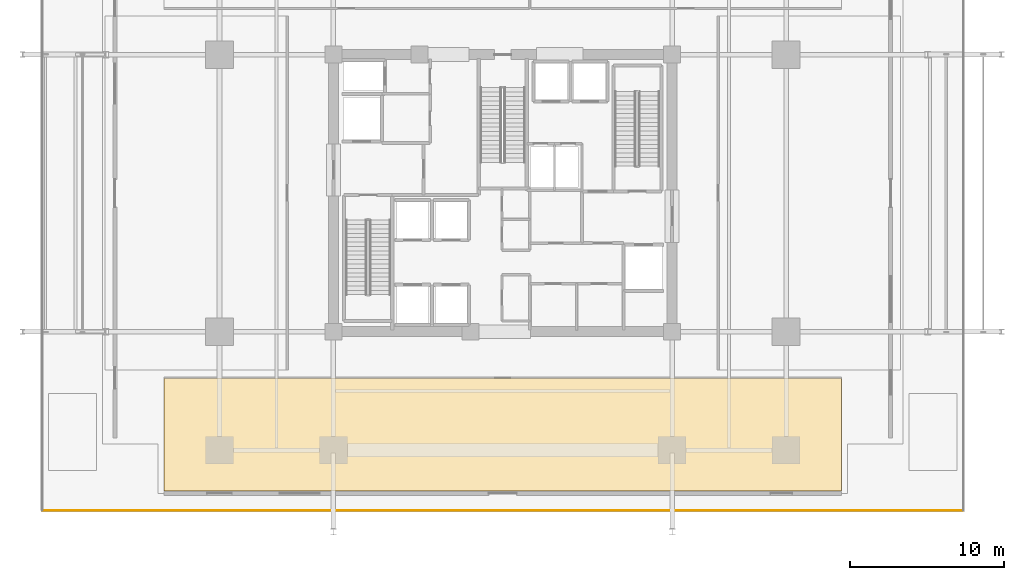
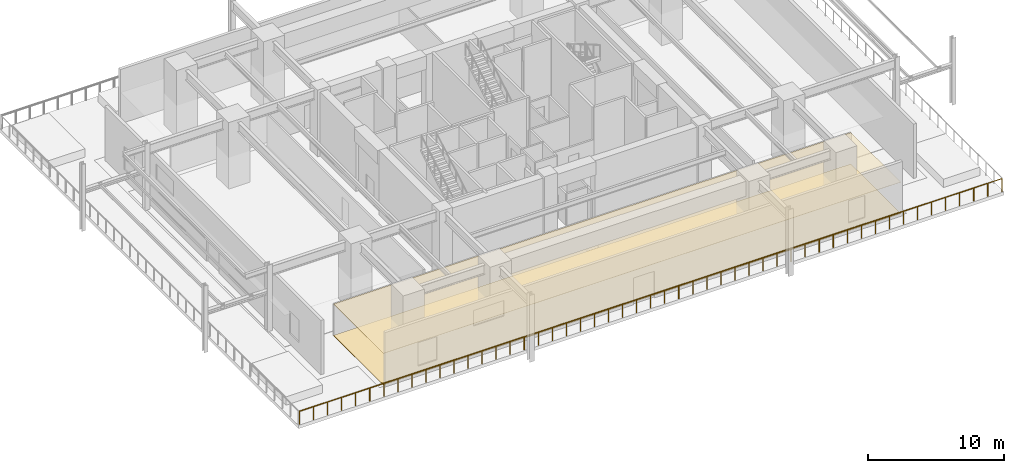
# One storey, part 10 of 14: 2 coverings, 1 railing.
"""IFC4 building model written with IfcOpenShell, lengths in metres."""

from ifc_helpers import new_model, si_unit, direction, frame, origin, origin_2d, place, context, subcontext, project, spatial, polyline, circle, outline, extrude, material, layer, layer_set, type_object, element, save


model = new_model("IFC4")

# Units and contexts
model_context = context("Model", 3, precision=1e-05, world=origin(), true_north=direction((0.0, 1.0)))
body_context = subcontext(model_context, "Body", "Model", "MODEL_VIEW")
ifc_project = project(units=[si_unit("LENGTHUNIT", "METRE"), si_unit("AREAUNIT", "SQUARE_METRE"), si_unit("VOLUMEUNIT", "CUBIC_METRE"), si_unit("PLANEANGLEUNIT", "RADIAN"), si_unit("MASSUNIT", "GRAM", prefix="KILO")], contexts=[model_context])

# Site, building, storey
site_placement = place(None, origin())
site = spatial("IfcSite", under=ifc_project, at=site_placement, CompositionType="ELEMENT")
building_placement = place(site_placement, origin())
building = spatial("IfcBuilding", under=site, at=building_placement, Name="Kovane Verandah Tower", CompositionType="ELEMENT")
storey_placement = place(building_placement, frame((0.0, 0.0, 21.60009765625)))
storey = spatial("IfcBuildingStorey", under=building, at=storey_placement, Name="L04", CompositionType="ELEMENT", Elevation=21.60009765625)

# Coverings
ifc_material_1 = material(Name="Perforated Acoustic Mineral-Fibre Ceiling Tile", Category="gypsum")
ifc_layer_1 = layer(ifc_material_1, 0.02490234375)
ifc_layer_set_1 = layer_set([ifc_layer_1], Name="Perforated Acoustic Mineral-Fibre Ceiling Tile")
covering_type_1 = type_object("IfcCoveringType", Name="CV-CEIL-25", PredefinedType="CEILING", material=ifc_layer_set_1)
covering_1_placement = place(storey_placement, frame((0.0, 0.0, 2.824951171875)))
element("IfcCovering", 1, at=covering_1_placement, inside=storey, type_object=covering_type_1, Name="L04 Raised Garden Pavilion Reception Hall Acoustic Ceiling", PredefinedType="CEILING", context=body_context, shape_type="SweptSolid", body=[
    extrude(outline(polyline([(18.0, 8.14990234375), (62.0, 8.14990234375), (62.0, 15.5), (18.0, 15.5), (18.0, 8.14990234375)])), origin(), (0.0, 0.0, 1.0), 0.02490234375),
])
ifc_material_2 = material(Name="Polished Terrazzo and Raised-Access Carpet Tile Finish", Category="concrete")
ifc_layer_2 = layer(ifc_material_2, 0.030029296875)
ifc_layer_set_2 = layer_set([ifc_layer_2], Name="Polished Terrazzo and Raised-Access Carpet Tile Finish")
covering_type_2 = type_object("IfcCoveringType", Name="CV-FLOR-30", PredefinedType="FLOORING", material=ifc_layer_set_2)
covering_2_placement = place(storey_placement, origin())
element("IfcCovering", 2, at=covering_2_placement, inside=storey, type_object=covering_type_2, Name="L04 Raised Garden Pavilion Reception Hall Floor Finish", PredefinedType="FLOORING", context=body_context, shape_type="SweptSolid", body=[
    extrude(outline(polyline([(18.0, 8.14990234375), (62.0, 8.14990234375), (62.0, 15.5), (18.0, 15.5), (18.0, 8.14990234375)])), origin(), (0.0, 0.0, 1.0), 0.02978515625),
])

# Railing
ifc_material_3 = material(Name="Pale-Champagne Stainless Steel and Glass Perimeter Guard", Category="steel")
railing_type = type_object("IfcRailingType", Name="RL-GDN-1200", PredefinedType="GUARDRAIL", material=ifc_material_3)
railing_placement = place(storey_placement, frame((10.139892578125, 6.8798828125, 0.0)))
element("IfcRailing", 3, at=railing_placement, inside=storey, type_object=railing_type, Name="L04 Raised Public Garden Perimeter Guard S", PredefinedType="GUARDRAIL", context=body_context, shape_type="SweptSolid", body=[
    extrude(circle(Radius=0.02392578125, at=origin_2d()), frame((0.0, 0.0, 1.17578125), z_axis=(1.0, 0.0, 0.0), x_axis=(0.0, 1.0, 0.0)), (0.0, 0.0, 1.0), 59.72021484375),
    extrude(circle(Radius=0.02099609375, at=origin_2d()), origin(), (0.0, 0.0, 1.0), 1.15185546875),
    extrude(circle(Radius=0.02099609375, at=origin_2d()), frame((1.1943359375, 0.0, 0.0)), (0.0, 0.0, 1.0), 1.15185546875),
    extrude(circle(Radius=0.02099609375, at=origin_2d()), frame((2.388916015625, 0.0, 0.0)), (0.0, 0.0, 1.0), 1.15185546875),
    extrude(circle(Radius=0.02099609375, at=origin_2d()), frame((3.583251953125, 0.0, 0.0)), (0.0, 0.0, 1.0), 1.15185546875),
    extrude(circle(Radius=0.02099609375, at=origin_2d()), frame((4.777587890625, 0.0, 0.0)), (0.0, 0.0, 1.0), 1.15185546875),
    extrude(circle(Radius=0.02099609375, at=origin_2d()), frame((5.971923828125, 0.0, 0.0)), (0.0, 0.0, 1.0), 1.15185546875),
    extrude(circle(Radius=0.02099609375, at=origin_2d()), frame((7.16650390625, 0.0, 0.0)), (0.0, 0.0, 1.0), 1.15185546875),
    extrude(circle(Radius=0.02099609375, at=origin_2d()), frame((8.36083984375, 0.0, 0.0)), (0.0, 0.0, 1.0), 1.15185546875),
    extrude(circle(Radius=0.02099609375, at=origin_2d()), frame((9.55517578125, 0.0, 0.0)), (0.0, 0.0, 1.0), 1.15185546875),
    extrude(circle(Radius=0.02099609375, at=origin_2d()), frame((10.749755859375, 0.0, 0.0)), (0.0, 0.0, 1.0), 1.15185546875),
    extrude(circle(Radius=0.02099609375, at=origin_2d()), frame((11.944091796875, 0.0, 0.0)), (0.0, 0.0, 1.0), 1.15185546875),
    extrude(circle(Radius=0.02099609375, at=origin_2d()), frame((13.138427734375, 0.0, 0.0)), (0.0, 0.0, 1.0), 1.15185546875),
    extrude(circle(Radius=0.02099609375, at=origin_2d()), frame((14.332763671875, 0.0, 0.0)), (0.0, 0.0, 1.0), 1.15185546875),
    extrude(circle(Radius=0.02099609375, at=origin_2d()), frame((15.52734375, 0.0, 0.0)), (0.0, 0.0, 1.0), 1.15185546875),
    extrude(circle(Radius=0.02099609375, at=origin_2d()), frame((16.7216796875, 0.0, 0.0)), (0.0, 0.0, 1.0), 1.15185546875),
    extrude(circle(Radius=0.02099609375, at=origin_2d()), frame((17.916015625, 0.0, 0.0)), (0.0, 0.0, 1.0), 1.15185546875),
    extrude(circle(Radius=0.02099609375, at=origin_2d()), frame((19.1103515625, 0.0, 0.0)), (0.0, 0.0, 1.0), 1.15185546875),
    extrude(circle(Radius=0.02099609375, at=origin_2d()), frame((20.304931640625, 0.0, 0.0)), (0.0, 0.0, 1.0), 1.15185546875),
    extrude(circle(Radius=0.02099609375, at=origin_2d()), frame((21.499267578125, 0.0, 0.0)), (0.0, 0.0, 1.0), 1.15185546875),
    extrude(circle(Radius=0.02099609375, at=origin_2d()), frame((22.693603515625, 0.0, 0.0)), (0.0, 0.0, 1.0), 1.15185546875),
    extrude(circle(Radius=0.02099609375, at=origin_2d()), frame((23.88818359375, 0.0, 0.0)), (0.0, 0.0, 1.0), 1.15185546875),
    extrude(circle(Radius=0.02099609375, at=origin_2d()), frame((25.08251953125, 0.0, 0.0)), (0.0, 0.0, 1.0), 1.15185546875),
    extrude(circle(Radius=0.02099609375, at=origin_2d()), frame((26.27685546875, 0.0, 0.0)), (0.0, 0.0, 1.0), 1.15185546875),
    extrude(circle(Radius=0.02099609375, at=origin_2d()), frame((27.47119140625, 0.0, 0.0)), (0.0, 0.0, 1.0), 1.15185546875),
    extrude(circle(Radius=0.02099609375, at=origin_2d()), frame((28.665771484375, 0.0, 0.0)), (0.0, 0.0, 1.0), 1.15185546875),
    extrude(circle(Radius=0.02099609375, at=origin_2d()), frame((29.860107421875, 0.0, 0.0)), (0.0, 0.0, 1.0), 1.15185546875),
    extrude(circle(Radius=0.02099609375, at=origin_2d()), frame((31.054443359375, 0.0, 0.0)), (0.0, 0.0, 1.0), 1.15185546875),
    extrude(circle(Radius=0.02099609375, at=origin_2d()), frame((32.2490234375, 0.0, 0.0)), (0.0, 0.0, 1.0), 1.15185546875),
    extrude(circle(Radius=0.02099609375, at=origin_2d()), frame((33.443359375, 0.0, 0.0)), (0.0, 0.0, 1.0), 1.15185546875),
    extrude(circle(Radius=0.02099609375, at=origin_2d()), frame((34.6376953125, 0.0, 0.0)), (0.0, 0.0, 1.0), 1.15185546875),
    extrude(circle(Radius=0.02099609375, at=origin_2d()), frame((35.83203125, 0.0, 0.0)), (0.0, 0.0, 1.0), 1.15185546875),
    extrude(circle(Radius=0.02099609375, at=origin_2d()), frame((37.026611328125, 0.0, 0.0)), (0.0, 0.0, 1.0), 1.15185546875),
    extrude(circle(Radius=0.02099609375, at=origin_2d()), frame((38.220947265625, 0.0, 0.0)), (0.0, 0.0, 1.0), 1.15185546875),
    extrude(circle(Radius=0.02099609375, at=origin_2d()), frame((39.415283203125, 0.0, 0.0)), (0.0, 0.0, 1.0), 1.15185546875),
    extrude(circle(Radius=0.02099609375, at=origin_2d()), frame((40.60986328125, 0.0, 0.0)), (0.0, 0.0, 1.0), 1.15185546875),
    extrude(circle(Radius=0.02099609375, at=origin_2d()), frame((41.80419921875, 0.0, 0.0)), (0.0, 0.0, 1.0), 1.15185546875),
    extrude(circle(Radius=0.02099609375, at=origin_2d()), frame((42.99853515625, 0.0, 0.0)), (0.0, 0.0, 1.0), 1.15185546875),
    extrude(circle(Radius=0.02099609375, at=origin_2d()), frame((44.19287109375, 0.0, 0.0)), (0.0, 0.0, 1.0), 1.15185546875),
    extrude(circle(Radius=0.02099609375, at=origin_2d()), frame((45.387451171875, 0.0, 0.0)), (0.0, 0.0, 1.0), 1.15185546875),
    extrude(circle(Radius=0.02099609375, at=origin_2d()), frame((46.581787109375, 0.0, 0.0)), (0.0, 0.0, 1.0), 1.15185546875),
    extrude(circle(Radius=0.02099609375, at=origin_2d()), frame((47.776123046875, 0.0, 0.0)), (0.0, 0.0, 1.0), 1.15185546875),
    extrude(circle(Radius=0.02099609375, at=origin_2d()), frame((48.970458984375, 0.0, 0.0)), (0.0, 0.0, 1.0), 1.15185546875),
    extrude(circle(Radius=0.02099609375, at=origin_2d()), frame((50.1650390625, 0.0, 0.0)), (0.0, 0.0, 1.0), 1.15185546875),
    extrude(circle(Radius=0.02099609375, at=origin_2d()), frame((51.359375, 0.0, 0.0)), (0.0, 0.0, 1.0), 1.15185546875),
    extrude(circle(Radius=0.02099609375, at=origin_2d()), frame((52.5537109375, 0.0, 0.0)), (0.0, 0.0, 1.0), 1.15185546875),
    extrude(circle(Radius=0.02099609375, at=origin_2d()), frame((53.748291015625, 0.0, 0.0)), (0.0, 0.0, 1.0), 1.15185546875),
    extrude(circle(Radius=0.02099609375, at=origin_2d()), frame((54.942626953125, 0.0, 0.0)), (0.0, 0.0, 1.0), 1.15185546875),
    extrude(circle(Radius=0.02099609375, at=origin_2d()), frame((56.136962890625, 0.0, 0.0)), (0.0, 0.0, 1.0), 1.15185546875),
    extrude(circle(Radius=0.02099609375, at=origin_2d()), frame((57.331298828125, 0.0, 0.0)), (0.0, 0.0, 1.0), 1.15185546875),
    extrude(circle(Radius=0.02099609375, at=origin_2d()), frame((58.52587890625, 0.0, 0.0)), (0.0, 0.0, 1.0), 1.15185546875),
    extrude(circle(Radius=0.02099609375, at=origin_2d()), frame((59.72021484375, 0.0, 0.0)), (0.0, 0.0, 1.0), 1.15185546875),
])

save(model, "model.ifc")
